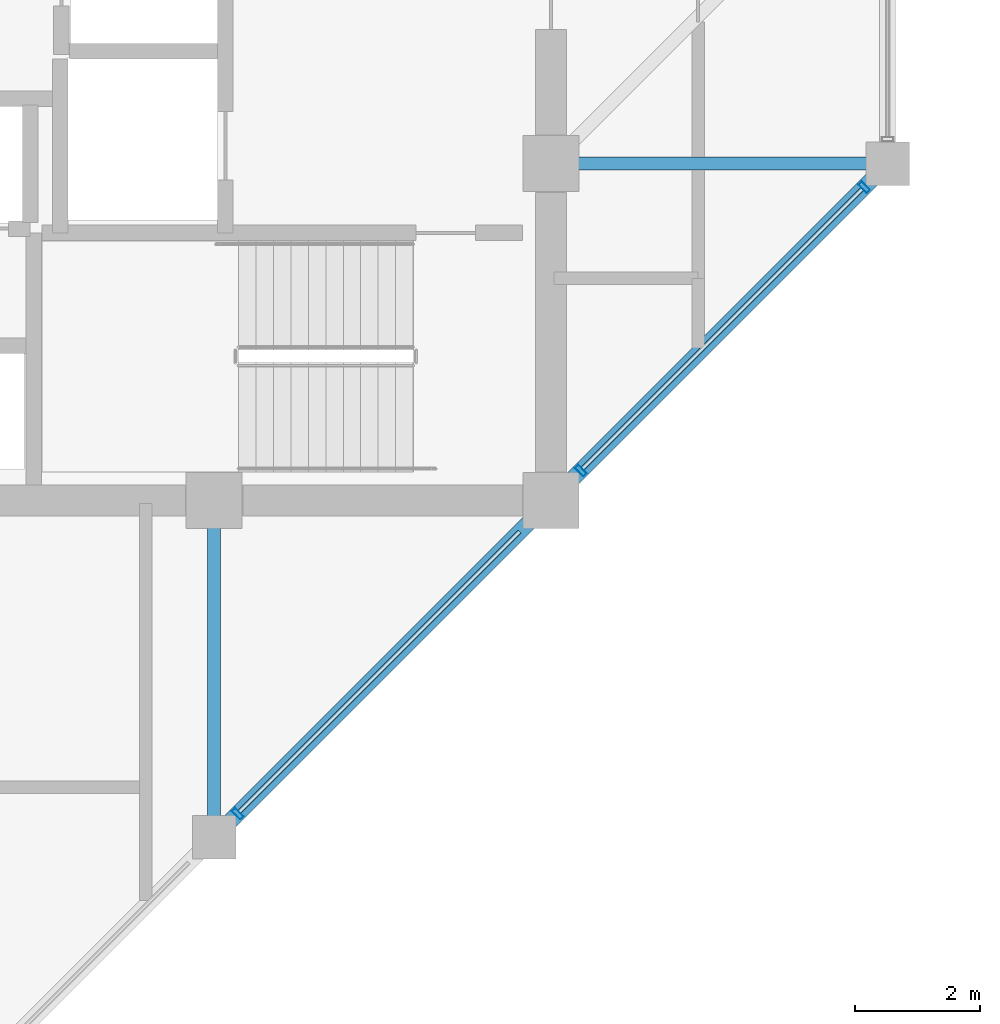
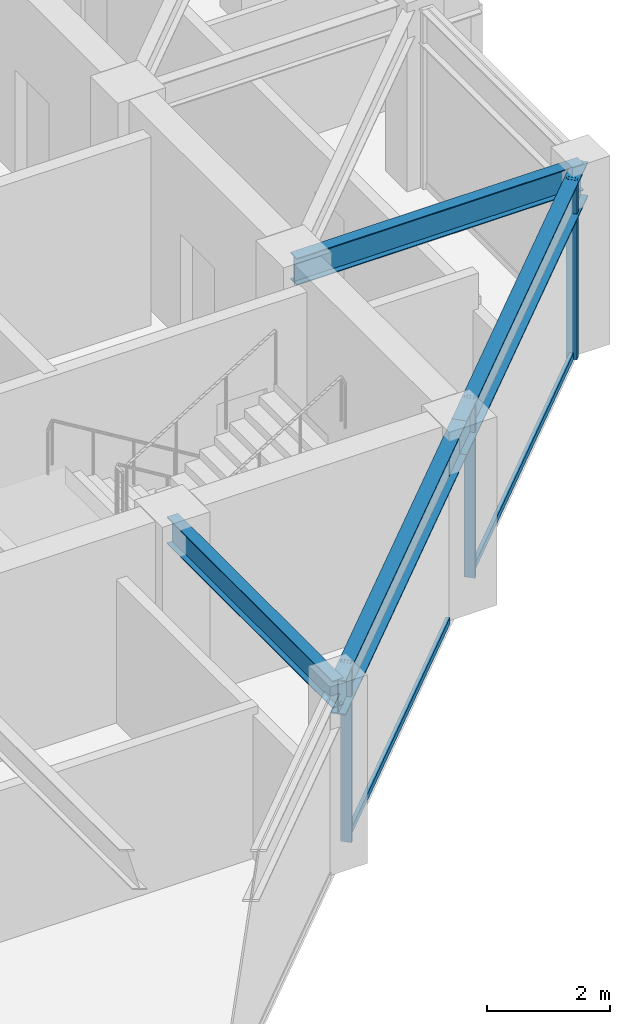
# One storey, part 10 of 29: 5 members, 4 beams, 1 element without a shape of its own.
"""IFC4 building model written with IfcOpenShell, lengths in metres."""

from ifc_helpers import new_model, si_unit, direction, frame, origin, origin_2d, place, context, subcontext, project, spatial, hollow_rectangle, i_section, extrude, material, layer, layer_set, material_profile, profile_set, type_object, element, aggregate, save


model = new_model("IFC4")

# Units and contexts
model_context = context("Model", 3, precision=1e-05, world=origin(), true_north=direction((0.0, 1.0)))
body_context = subcontext(model_context, "Body", "Model", "MODEL_VIEW")
ifc_project = project(units=[si_unit("LENGTHUNIT", "METRE"), si_unit("AREAUNIT", "SQUARE_METRE"), si_unit("VOLUMEUNIT", "CUBIC_METRE"), si_unit("PLANEANGLEUNIT", "RADIAN"), si_unit("MASSUNIT", "GRAM", prefix="KILO")], contexts=[model_context])

# Site, building, storey
site_placement = place(None, origin())
site = spatial("IfcSite", under=ifc_project, at=site_placement, CompositionType="ELEMENT")
building_placement = place(site_placement, origin())
building = spatial("IfcBuilding", under=site, at=building_placement, Name="Surkhivell Harbour Commons", CompositionType="ELEMENT")
storey_placement = place(building_placement, frame((0.0, 0.0, 277.5)))
storey = spatial("IfcBuildingStorey", under=building, at=storey_placement, Name="L72", CompositionType="ELEMENT", Elevation=277.5)

# Beams
ifc_material_1 = material(Name="Steel S355", Category="steel")
ifc_material_profile_1 = material_profile(ifc_material_1, i_section(OverallWidth=0.2099609375, OverallDepth=0.537109375, WebThickness=0.0107421875, FlangeThickness=0.017333984375, at=origin_2d()), Name="UB533x210x101")
ifc_profile_set_1 = profile_set([ifc_material_profile_1], Name="Steel S355")
beam_type_1 = type_object("IfcBeamType", Name="BM-GRD-533B", PredefinedType="BEAM", material=ifc_profile_set_1)
for number, where, z_axis, x_axis, name in (
    (1, (5.39990234375, -16.199951171875, 3.301513671875), (0.0, 1.0, 0.0), (-1.0, 0.0, 0.0), "L72 Floor Girder (5.4,-16.2)"),
    (2, (10.800048828125, -5.39990234375, 3.301513671875), (1.0, 0.0, 0.0), (0.0, 1.0, 0.0), "L72 Floor Girder (10.8,-5.4)"),
):
    element("IfcBeam", number, at=place(storey_placement, frame(where, z_axis=z_axis, x_axis=x_axis)), inside=storey, type_object=beam_type_1, Name=name, PredefinedType="BEAM", context=body_context, shape_type="SweptSolid", body=[
        extrude(i_section(OverallWidth=0.2099609375, OverallDepth=0.537109375, WebThickness=0.0107421875, FlangeThickness=0.017333984375, at=origin_2d()), origin(), (0.0, 0.0, 1.0), 5.39990234375),
    ])
ifc_material_profile_2 = material_profile(ifc_material_1, i_section(OverallWidth=0.256103515625, OverallDepth=0.693115234375, WebThickness=0.014404296875, FlangeThickness=0.023681640625, at=origin_2d()), Name="UB686x254x170")
ifc_profile_set_2 = profile_set([ifc_material_profile_2], Name="Steel S355")
beam_type_2 = type_object("IfcBeamType", Name="BM-SPN-686", PredefinedType="SPANDREL", material=ifc_profile_set_2)
for number, where, z_axis, x_axis, name in (
    (3, (5.39990234375, -16.199951171875, 3.223388671875), (0.707122765516, 0.707090796496, 0.0), (-0.707090796496, 0.707122765516, 0.0), "L72 Tube Spandrel (5.4,-16.2)"),
    (4, (10.800048828125, -10.800048828125, 3.223388671875), (0.707090796496, 0.707122765516, 0.0), (-0.707122765516, 0.707090796496, 0.0), "L72 Tube Spandrel (10.8,-10.8)"),
):
    element("IfcBeam", number, at=place(storey_placement, frame(where, z_axis=z_axis, x_axis=x_axis)), inside=storey, type_object=beam_type_2, Name=name, PredefinedType="SPANDREL", context=body_context, shape_type="SweptSolid", body=[
        extrude(i_section(OverallWidth=0.256103515625, OverallDepth=0.693115234375, WebThickness=0.014404296875, FlangeThickness=0.023681640625, at=origin_2d()), origin(), (0.0, 0.0, 1.0), 7.63671875),
    ])

# Curtain wall, members
ifc_material_2 = material(Name="Anodised pale-metal aluminium and insulated glazing", Category="aluminium")
ifc_layer = layer(ifc_material_2, 0.175048828125)
ifc_layer_set = layer_set([ifc_layer], Name="Anodised pale-metal aluminium and insulated glazing")
curtain_wall_type = type_object("IfcCurtainWallType", Name="CW-SYS-Z4", PredefinedType="NOTDEFINED", material=ifc_layer_set)
curtain_wall_placement = place(storey_placement, origin())
curtain_wall = element("IfcCurtainWall", 5, at=curtain_wall_placement, inside=storey, type_object=curtain_wall_type, Name="L72 Curtain Wall CW-L72-E01", PredefinedType="NOTDEFINED")
ifc_material_3 = material(Name="Anodised pale-metal aluminium alloy 6063-T6", Category="aluminium")
ifc_material_profile_3 = material_profile(ifc_material_3, hollow_rectangle(XDim=0.074951171875, YDim=0.18994140625, WallThickness=0.00390625, at=origin_2d()), Name="ALU-MULL-75x190")
ifc_profile_set_3 = profile_set([ifc_material_profile_3], Name="Anodised pale-metal aluminium alloy 6063-T6")
member_type_1 = type_object("IfcMemberType", Name="CWM-190", PredefinedType="MULLION", material=ifc_profile_set_3)
member_1_placement = place(storey_placement, frame((5.778076171875, -15.82177734375, 0.0), z_axis=(0.0, 0.0, 1.0), x_axis=(0.707106781187, 0.707106781187, 0.0)))
member_1 = element("IfcMember", 6, at=member_1_placement, type_object=member_type_1, Name="CW-Z4 mullion 2", PredefinedType="MULLION", context=body_context, shape_type="SweptSolid", body=[
    extrude(hollow_rectangle(XDim=0.074951171875, YDim=0.18994140625, WallThickness=0.00390625, at=origin_2d()), origin(), (0.0, 0.0, 1.0), 3.570068359375),
])
member_2_placement = place(storey_placement, frame((11.278076171875, -10.32177734375, 0.0), z_axis=(0.0, 0.0, 1.0), x_axis=(0.707106781187, 0.707106781187, 0.0)))
member_2 = element("IfcMember", 7, at=member_2_placement, type_object=member_type_1, Name="CW-Z4 mullion 3", PredefinedType="MULLION", context=body_context, shape_type="SweptSolid", body=[
    extrude(hollow_rectangle(XDim=0.074951171875, YDim=0.18994140625, WallThickness=0.00390625, at=origin_2d()), origin(), (0.0, 0.0, 1.0), 3.570068359375),
])
member_3_placement = place(storey_placement, frame((15.82177734375, -5.778076171875, 0.0), z_axis=(0.0, 0.0, 1.0), x_axis=(0.707106781187, 0.707106781187, 0.0)))
member_3 = element("IfcMember", 8, at=member_3_placement, type_object=member_type_1, Name="CW-Z4 mullion 4", PredefinedType="MULLION", context=body_context, shape_type="SweptSolid", body=[
    extrude(hollow_rectangle(XDim=0.074951171875, YDim=0.18994140625, WallThickness=0.00390625, at=origin_2d()), origin(), (0.0, 0.0, 1.0), 3.570068359375),
])
ifc_material_4 = material(Name="Champagne anodised aluminium alloy 6063-T6", Category="aluminium")
ifc_material_profile_4 = material_profile(ifc_material_4, hollow_rectangle(XDim=0.070068359375, YDim=0.1298828125, WallThickness=0.00341796875, at=origin_2d()), Name="ALU-TRAN-70x130")
ifc_profile_set_4 = profile_set([ifc_material_profile_4], Name="Champagne anodised aluminium alloy 6063-T6")
member_type_2 = type_object("IfcMemberType", Name="CWT-130", PredefinedType="USERDEFINED", material=ifc_profile_set_4)
member_4_placement = place(storey_placement, frame((5.8046875, -15.79541015625, 0.06494140625), z_axis=(0.707106781187, 0.707106781187, 0.0), x_axis=(-0.707106781187, 0.707106781187, 0.0)))
member_4 = element("IfcMember", 9, at=member_4_placement, type_object=member_type_2, Name="CW-Z4 transom 2.1", ObjectType="TRANSOM", PredefinedType="USERDEFINED", context=body_context, shape_type="SweptSolid", body=[
    extrude(hollow_rectangle(XDim=0.070068359375, YDim=0.1298828125, WallThickness=0.00341796875, at=origin_2d()), origin(), (0.0, 0.0, 1.0), 6.350830078125),
])
member_5_placement = place(storey_placement, frame((11.3046875, -10.29541015625, 0.06494140625), z_axis=(0.707106781187, 0.707106781187, 0.0), x_axis=(-0.707106781187, 0.707106781187, 0.0)))
member_5 = element("IfcMember", 10, at=member_5_placement, type_object=member_type_2, Name="CW-Z4 transom 3.1", ObjectType="TRANSOM", PredefinedType="USERDEFINED", context=body_context, shape_type="SweptSolid", body=[
    extrude(hollow_rectangle(XDim=0.070068359375, YDim=0.1298828125, WallThickness=0.00341796875, at=origin_2d()), origin(), (0.0, 0.0, 1.0), 6.350830078125),
])
aggregate(curtain_wall, [member_1, member_4, member_2, member_3, member_5])

save(model, "model.ifc")
